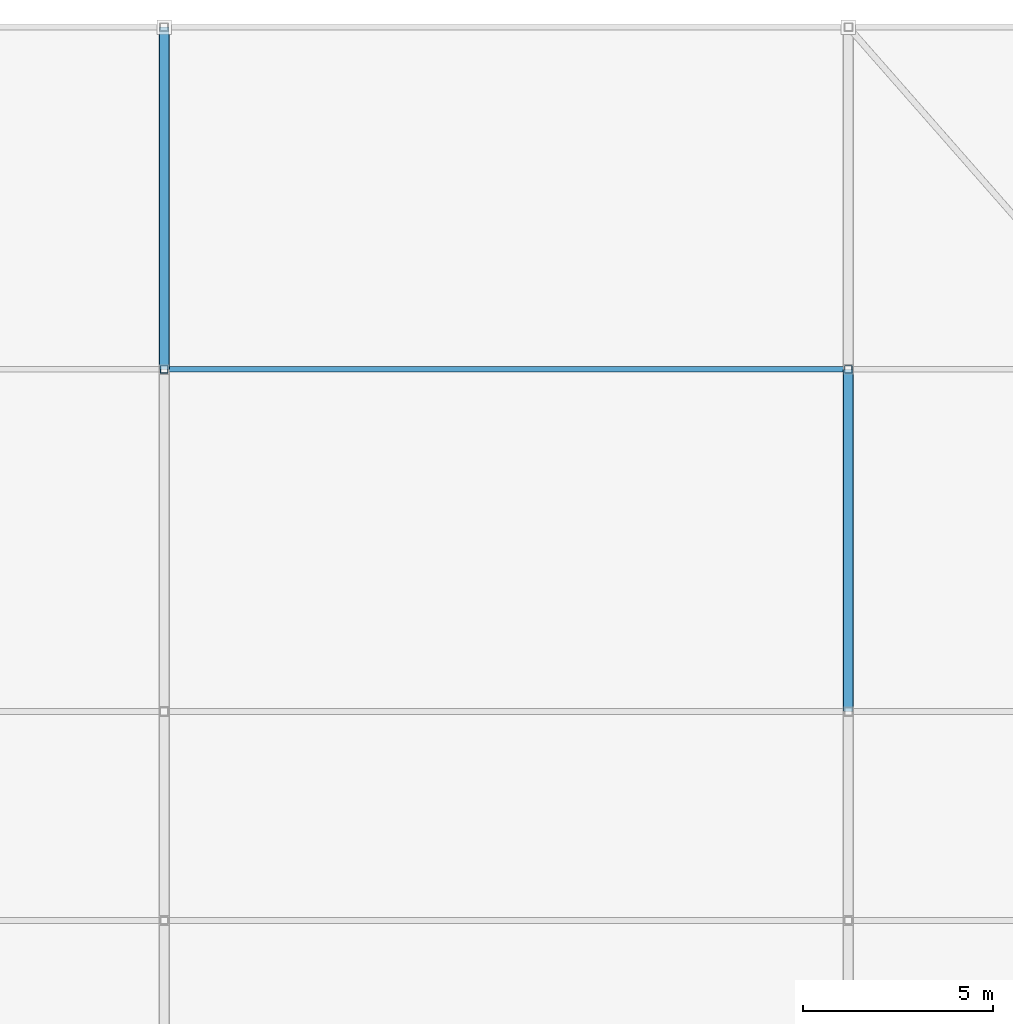
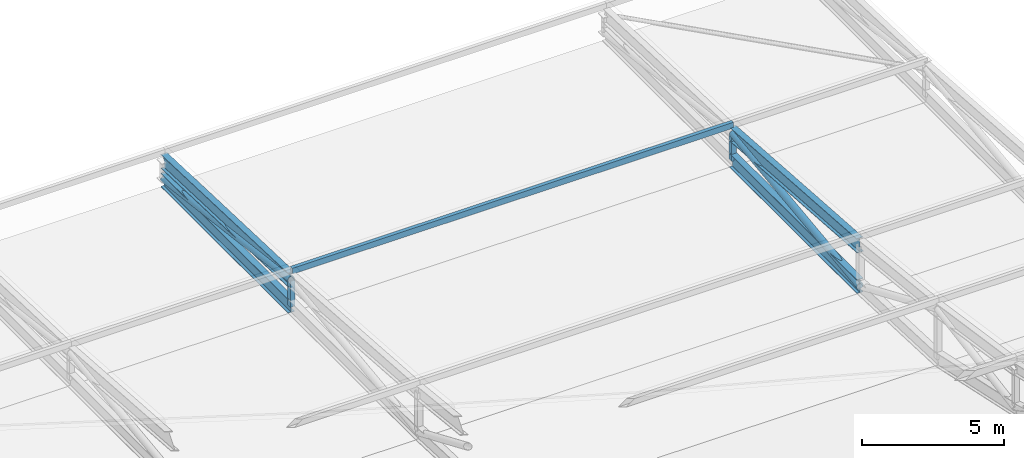
# One storey, part 74 of 114: 5 members, 4 beams.
"""IFC4 building model written with IfcOpenShell, lengths in metres."""

from ifc_helpers import new_model, si_unit, direction, frame, origin, origin_2d, place, context, subcontext, project, spatial, hollow_rectangle, hollow_circle, i_section, extrude, material, material_profile, profile_set, type_object, element, save


model = new_model("IFC4")

# Units and contexts
model_context = context("Model", 3, precision=1e-05, world=origin(), true_north=direction((0.0, 1.0)))
body_context = subcontext(model_context, "Body", "Model", "MODEL_VIEW")
ifc_project = project(units=[si_unit("LENGTHUNIT", "METRE"), si_unit("AREAUNIT", "SQUARE_METRE"), si_unit("VOLUMEUNIT", "CUBIC_METRE"), si_unit("PLANEANGLEUNIT", "RADIAN"), si_unit("MASSUNIT", "GRAM", prefix="KILO"), si_unit("THERMODYNAMICTEMPERATUREUNIT", "KELVIN"), si_unit("POWERUNIT", "WATT")], contexts=[model_context])

# Site, building, storey
site_placement = place(None, origin())
site = spatial("IfcSite", under=ifc_project, at=site_placement, CompositionType="ELEMENT")
building_placement = place(site_placement, origin())
building = spatial("IfcBuilding", under=site, at=building_placement, Name="Sindhuravela Promenade Stadium", CompositionType="ELEMENT")
storey_placement = place(building_placement, frame((0.0, 0.0, 24.0)))
storey = spatial("IfcBuildingStorey", under=building, at=storey_placement, Name="L05", CompositionType="ELEMENT", Elevation=24.0)

# Beams
ifc_material = material(Name="Steel E350 (IS 2062 E350BR)", Category="steel")
ifc_material_profile_1 = material_profile(ifc_material, i_section(OverallWidth=0.25, OverallDepth=0.60009765625, WebThickness=0.01171875, FlangeThickness=0.023681640625, FilletRadius=0.01708984375, at=origin_2d()), Name="ISWB 600")
ifc_profile_set_1 = profile_set([ifc_material_profile_1], Name="Steel E350 (IS 2062 E350BR)")
beam_type = type_object("IfcBeamType", Name="ST-BM-WB600", PredefinedType="USERDEFINED", material=ifc_profile_set_1)
beam_1_placement = place(storey_placement, frame((135.0, 153.0, 0.800048828125), z_axis=(0.0, -0.9993399990381225, 0.03632583546850814), x_axis=(1.0, 0.0, 0.0)))
element("IfcBeam", 1, at=beam_1_placement, inside=storey, type_object=beam_type, Name="Roof truss RT-N07 top chord 1", ObjectType="ROOF TRUSS", PredefinedType="USERDEFINED", context=body_context, shape_type="SweptSolid", body=[
    extrude(i_section(OverallWidth=0.25, OverallDepth=0.60009765625, WebThickness=0.01171875, FlangeThickness=0.023681640625, FilletRadius=0.01708984375, at=origin_2d()), origin(), (0.0, 0.0, 1.0), 9.005859375),
])
beam_2_placement = place(storey_placement, frame((135.0, 153.0, 0.0), z_axis=(0.0, -1.0, 0.0), x_axis=(1.0, 0.0, 0.0)))
element("IfcBeam", 2, at=beam_2_placement, inside=storey, type_object=beam_type, Name="Roof truss RT-N07 bottom chord 1", ObjectType="ROOF TRUSS", PredefinedType="USERDEFINED", context=body_context, shape_type="SweptSolid", body=[
    extrude(i_section(OverallWidth=0.25, OverallDepth=0.60009765625, WebThickness=0.01171875, FlangeThickness=0.023681640625, FilletRadius=0.01708984375, at=origin_2d()), origin(), (0.0, 0.0, 1.0), 9.0),
])
beam_3_placement = place(storey_placement, frame((153.0, 144.0, 1.127197265625), z_axis=(0.0, -0.9975125305940163, 0.07048937017679613), x_axis=(1.0, 0.0, 0.0)))
element("IfcBeam", 3, at=beam_3_placement, inside=storey, type_object=beam_type, Name="Roof truss RT-N08 top chord 2", ObjectType="ROOF TRUSS", PredefinedType="USERDEFINED", context=body_context, shape_type="SweptSolid", body=[
    extrude(i_section(OverallWidth=0.25, OverallDepth=0.60009765625, WebThickness=0.01171875, FlangeThickness=0.023681640625, FilletRadius=0.01708984375, at=origin_2d()), origin(), (0.0, 0.0, 1.0), 9.0224609375),
])
beam_4_placement = place(storey_placement, frame((153.0, 144.0, 0.0), z_axis=(0.0, -1.0, 0.0), x_axis=(1.0, 0.0, 0.0)))
element("IfcBeam", 4, at=beam_4_placement, inside=storey, type_object=beam_type, Name="Roof truss RT-N08 bottom chord 2", ObjectType="ROOF TRUSS", PredefinedType="USERDEFINED", context=body_context, shape_type="SweptSolid", body=[
    extrude(i_section(OverallWidth=0.25, OverallDepth=0.60009765625, WebThickness=0.01171875, FlangeThickness=0.023681640625, FilletRadius=0.01708984375, at=origin_2d()), origin(), (0.0, 0.0, 1.0), 9.0),
])

# Members
ifc_material_profile_2 = material_profile(ifc_material, hollow_circle(Radius=0.136474609375, WallThickness=0.010009765625, at=origin_2d()), Name="CHS 273.0x10")
ifc_profile_set_2 = profile_set([ifc_material_profile_2], Name="Steel E350 (IS 2062 E350BR)")
member_type_1 = type_object("IfcMemberType", Name="ST-MB-CHS273", PredefinedType="BRACE", material=ifc_profile_set_2)
for number, where, z_axis, x_axis, name in (
    (5, (135.0, 153.0, 0.0), (0.0, -0.9922480329009012, 0.12427325216752011), (1.0, 0.0, 0.0), "Roof truss RT-N07 diagonal web 1"),
    (6, (153.0, 144.0, 1.127197265625), (0.0, -0.9922480329009012, -0.12427325216752011), (1.0, 0.0, 0.0), "Roof truss RT-N08 diagonal web 2"),
):
    element("IfcMember", number, at=place(storey_placement, frame(where, z_axis=z_axis, x_axis=x_axis)), inside=storey, type_object=member_type_1, Name=name, PredefinedType="BRACE", context=body_context, shape_type="SweptSolid", body=[
        extrude(hollow_circle(Radius=0.136474609375, WallThickness=0.010009765625, at=origin_2d()), origin(), (0.0, 0.0, 1.0), 9.0703125),
    ])
ifc_material_profile_3 = material_profile(ifc_material, hollow_rectangle(XDim=0.14990234375, YDim=0.25, WallThickness=0.010009765625, at=origin_2d()), Name="RHS 250x150x10")
ifc_profile_set_3 = profile_set([ifc_material_profile_3], Name="Steel E350 (IS 2062 E350BR)")
member_type_2 = type_object("IfcMemberType", Name="ST-MB-RHS250", PredefinedType="PURLIN", material=ifc_profile_set_3)
member_placement = place(storey_placement, frame((135.0, 144.0, 1.51904296875), z_axis=(1.0, 0.0, 0.0), x_axis=(0.0, 1.0, 0.0)))
element("IfcMember", 7, at=member_placement, inside=storey, type_object=member_type_2, Name="Roof purlin PR01 N bay 7.2", PredefinedType="PURLIN", context=body_context, shape_type="SweptSolid", body=[
    extrude(hollow_rectangle(XDim=0.14990234375, YDim=0.25, WallThickness=0.010009765625, at=origin_2d()), origin(), (0.0, 0.0, 1.0), 18.0),
])
ifc_material_profile_4 = material_profile(ifc_material, hollow_rectangle(XDim=0.199951171875, YDim=0.199951171875, WallThickness=0.010009765625, at=origin_2d()), Name="SHS 200x200x10")
ifc_profile_set_4 = profile_set([ifc_material_profile_4], Name="Steel E350 (IS 2062 E350BR)")
member_type_3 = type_object("IfcMemberType", Name="ST-MB-SHS200", PredefinedType="POST", material=ifc_profile_set_4)
for number, where, z_axis, x_axis, name in (
    (8, (135.0, 144.0, 0.0), (0.0, 0.0, 1.0), (1.0, 0.0, 0.0), "Roof truss RT-N07 vertical post 2"),
    (9, (153.0, 144.0, 0.0), (0.0, 0.0, 1.0), (1.0, 0.0, 0.0), "Roof truss RT-N08 vertical post 2"),
):
    element("IfcMember", number, at=place(storey_placement, frame(where, z_axis=z_axis, x_axis=x_axis)), inside=storey, type_object=member_type_3, Name=name, PredefinedType="POST", context=body_context, shape_type="SweptSolid", body=[
        extrude(hollow_rectangle(XDim=0.199951171875, YDim=0.199951171875, WallThickness=0.010009765625, at=origin_2d()), origin(), (0.0, 0.0, 1.0), 1.127197265625),
    ])

save(model, "model.ifc")
